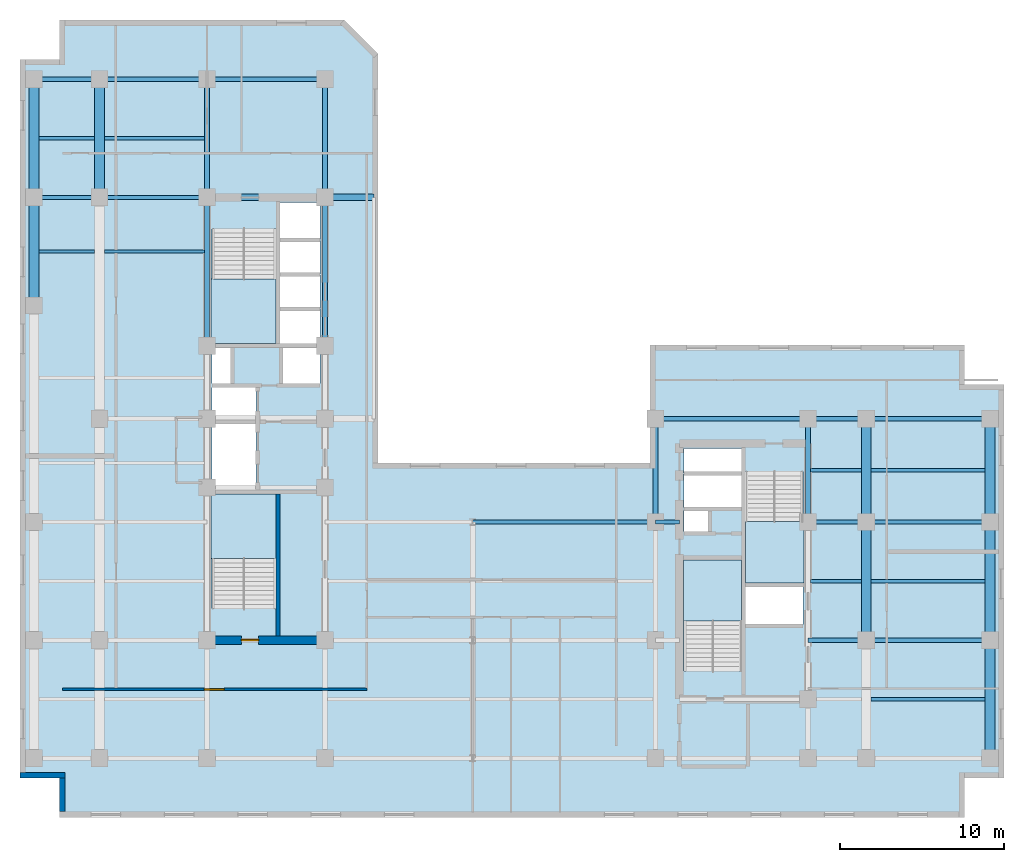
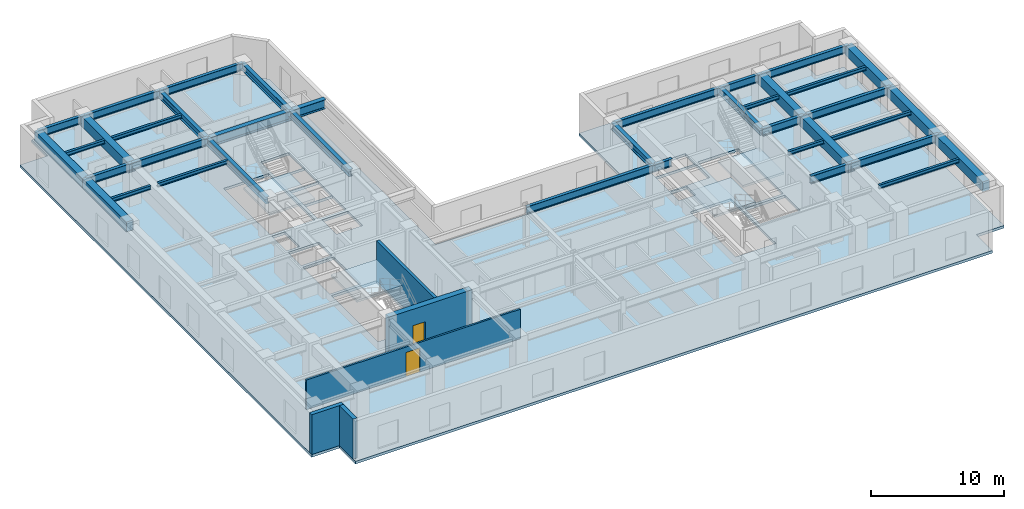
# One storey, part 2 of 9: 38 beams, 5 slabs, 5 walls, 2 doors, 2 openings, 4 elements without a shape of their own.
"""IFC4 building model written with IfcOpenShell, lengths in metres."""

from ifc_helpers import new_model, entity, si_unit, converted_unit, direction, frame, origin_with_axes, origin_2d_with_axis, place, context, subcontext, project, spatial, polyline, rectangle, i_section, outline, extrude, material, layer, layer_set, material_profile, profile_set, type_object, element, fill, aggregate, save


model = new_model("IFC4")

# Units and contexts
model_context = context("Model", 3, precision=1e-05, world=origin_with_axes(), true_north=direction((0.0, 1.0)))
body_context = subcontext(model_context, "Body", "Model", "MODEL_VIEW")
ifc_project = project(units=[si_unit("LENGTHUNIT", "METRE"), si_unit("AREAUNIT", "SQUARE_METRE"), si_unit("VOLUMEUNIT", "CUBIC_METRE"), converted_unit("PLANEANGLEUNIT", "DEGREE", entity("IfcPlaneAngleMeasure", 0.017453292519943295), si_unit("PLANEANGLEUNIT", "RADIAN"), dimensions=[0, 0, 0, 0, 0, 0, 0]), si_unit("MASSUNIT", "GRAM", prefix="KILO"), si_unit("THERMODYNAMICTEMPERATUREUNIT", "KELVIN")], contexts=[model_context])

# Site, building, storey
site_placement = place(None, origin_with_axes())
site = spatial("IfcSite", under=ifc_project, at=site_placement, CompositionType="ELEMENT")
building_placement = place(site_placement, origin_with_axes())
building = spatial("IfcBuilding", under=site, at=building_placement, Name="Varnlund Millrace Tower", CompositionType="ELEMENT")
storey_placement = place(building_placement, frame((0.0, 0.0, 136.8), z_axis=(0.0, 0.0, 1.0), x_axis=(1.0, 0.0, 0.0)))
storey = spatial("IfcBuildingStorey", under=building, at=storey_placement, Name="L33", CompositionType="ELEMENT", Elevation=136.8)

# Beams
ifc_material_1 = material(Name="Steel ASTM A992 Grade 50", Category="steel")
ifc_material_profile_1 = material_profile(ifc_material_1, i_section(OverallWidth=0.328, OverallDepth=0.628, WebThickness=0.0165, FlangeThickness=0.0277, FilletRadius=0.018, at=origin_2d_with_axis()), Name="Steel ASTM A992 Grade 50")
ifc_profile_set_1 = profile_set([ifc_material_profile_1], Name="Steel ASTM A992 Grade 50")
beam_type_1 = type_object("IfcBeamType", Name="Type-Girder-W24X146", PredefinedType="USERDEFINED", material=ifc_profile_set_1)
beam_1_placement = place(storey_placement, frame((11.4, 28.75, 3.346), z_axis=(0.0, 1.0, 0.0), x_axis=(-1.0, 0.0, 0.0)))
element("IfcBeam", 1, at=beam_1_placement, inside=storey, type_object=beam_type_1, Name="Type-Girder-W24X146", ObjectType="GIRDER", PredefinedType="USERDEFINED", context=body_context, shape_type="SweptSolid", body=[
    extrude(i_section(OverallWidth=0.328, OverallDepth=0.628, WebThickness=0.0165, FlangeThickness=0.0277, FilletRadius=0.018, at=origin_2d_with_axis()), origin_with_axes(), (0.0, 0.0, 1.0), 9.05),
])
beam_2_placement = place(storey_placement, frame((11.4, 37.8, 3.346), z_axis=(0.0, 1.0, 0.0), x_axis=(-1.0, 0.0, 0.0)))
element("IfcBeam", 2, at=beam_2_placement, inside=storey, type_object=beam_type_1, Name="Type-Girder-W24X146", ObjectType="GIRDER", PredefinedType="USERDEFINED", context=body_context, shape_type="SweptSolid", body=[
    extrude(i_section(OverallWidth=0.328, OverallDepth=0.628, WebThickness=0.0165, FlangeThickness=0.0277, FilletRadius=0.018, at=origin_2d_with_axis()), origin_with_axes(), (0.0, 0.0, 1.0), 7.2),
])
beam_3_placement = place(storey_placement, frame((18.6, 28.75, 3.346), z_axis=(0.0, 1.0, 0.0), x_axis=(-1.0, 0.0, 0.0)))
element("IfcBeam", 3, at=beam_3_placement, inside=storey, type_object=beam_type_1, Name="Type-Girder-W24X146", ObjectType="GIRDER", PredefinedType="USERDEFINED", context=body_context, shape_type="SweptSolid", body=[
    extrude(i_section(OverallWidth=0.328, OverallDepth=0.628, WebThickness=0.0165, FlangeThickness=0.0277, FilletRadius=0.018, at=origin_2d_with_axis()), origin_with_axes(), (0.0, 0.0, 1.0), 9.05),
])
beam_4_placement = place(storey_placement, frame((18.6, 37.8, 3.346), z_axis=(0.0, 1.0, 0.0), x_axis=(-1.0, 0.0, 0.0)))
element("IfcBeam", 4, at=beam_4_placement, inside=storey, type_object=beam_type_1, Name="Type-Girder-W24X146", ObjectType="GIRDER", PredefinedType="USERDEFINED", context=body_context, shape_type="SweptSolid", body=[
    extrude(i_section(OverallWidth=0.328, OverallDepth=0.628, WebThickness=0.0165, FlangeThickness=0.0277, FilletRadius=0.018, at=origin_2d_with_axis()), origin_with_axes(), (0.0, 0.0, 1.0), 7.2),
])
for number, where, z_axis, x_axis, name in (
    (5, (38.75, 18.0, 3.346), (0.0, 1.0, 0.0), (-1.0, 0.0, 0.0), "Type-Girder-W24X146"),
    (6, (48.05, 18.0, 3.346), (0.0, 1.0, 0.0), (-1.0, 0.0, 0.0), "Type-Girder-W24X146"),
):
    element("IfcBeam", number, at=place(storey_placement, frame(where, z_axis=z_axis, x_axis=x_axis)), inside=storey, type_object=beam_type_1, Name=name, ObjectType="GIRDER", PredefinedType="USERDEFINED", context=body_context, shape_type="SweptSolid", body=[
        extrude(i_section(OverallWidth=0.328, OverallDepth=0.628, WebThickness=0.0165, FlangeThickness=0.0277, FilletRadius=0.018, at=origin_2d_with_axis()), origin_with_axes(), (0.0, 0.0, 1.0), 6.3),
    ])
ifc_material_profile_2 = material_profile(ifc_material_1, i_section(OverallWidth=0.256, OverallDepth=0.693, WebThickness=0.0145, FlangeThickness=0.0236, FilletRadius=0.018, at=origin_2d_with_axis()), Name="Steel ASTM A992 Grade 50")
ifc_profile_set_2 = profile_set([ifc_material_profile_2], Name="Steel ASTM A992 Grade 50")
beam_type_2 = type_object("IfcBeamType", Name="Type-Girder-W27X114", PredefinedType="USERDEFINED", material=ifc_profile_set_2)
beam_5_placement = place(storey_placement, frame((48.05, 10.8, 3.3135), z_axis=(1.0, 0.0, 0.0), x_axis=(0.0, 1.0, 0.0)))
element("IfcBeam", 7, at=beam_5_placement, inside=storey, type_object=beam_type_2, Name="Type-Girder-W27X114", ObjectType="GIRDER", PredefinedType="USERDEFINED", context=body_context, shape_type="SweptSolid", body=[
    extrude(i_section(OverallWidth=0.256, OverallDepth=0.693, WebThickness=0.0145, FlangeThickness=0.0236, FilletRadius=0.018, at=origin_2d_with_axis()), origin_with_axes(), (0.0, 0.0, 1.0), 3.55),
])
beam_6_placement = place(storey_placement, frame((51.6, 10.8, 3.3135), z_axis=(1.0, 0.0, 0.0), x_axis=(0.0, 1.0, 0.0)))
element("IfcBeam", 8, at=beam_6_placement, inside=storey, type_object=beam_type_2, Name="Type-Girder-W27X114", ObjectType="GIRDER", PredefinedType="USERDEFINED", context=body_context, shape_type="SweptSolid", body=[
    extrude(i_section(OverallWidth=0.256, OverallDepth=0.693, WebThickness=0.0145, FlangeThickness=0.0236, FilletRadius=0.018, at=origin_2d_with_axis()), origin_with_axes(), (0.0, 0.0, 1.0), 7.55),
])
beam_7_placement = place(storey_placement, frame((27.6, 18.0, 3.3135), z_axis=(1.0, 0.0, 0.0), x_axis=(0.0, 1.0, 0.0)))
element("IfcBeam", 9, at=beam_7_placement, inside=storey, type_object=beam_type_2, Name="Type-Girder-W27X114", ObjectType="GIRDER", PredefinedType="USERDEFINED", context=body_context, shape_type="SweptSolid", body=[
    extrude(i_section(OverallWidth=0.256, OverallDepth=0.693, WebThickness=0.0145, FlangeThickness=0.0236, FilletRadius=0.018, at=origin_2d_with_axis()), origin_with_axes(), (0.0, 0.0, 1.0), 11.15),
])
beam_8_placement = place(storey_placement, frame((38.75, 18.0, 3.3135), z_axis=(1.0, 0.0, 0.0), x_axis=(0.0, 1.0, 0.0)))
element("IfcBeam", 10, at=beam_8_placement, inside=storey, type_object=beam_type_2, Name="Type-Girder-W27X114", ObjectType="GIRDER", PredefinedType="USERDEFINED", context=body_context, shape_type="SweptSolid", body=[
    extrude(i_section(OverallWidth=0.256, OverallDepth=0.693, WebThickness=0.0145, FlangeThickness=0.0236, FilletRadius=0.018, at=origin_2d_with_axis()), origin_with_axes(), (0.0, 0.0, 1.0), 1.45),
])
beam_9_placement = place(storey_placement, frame((48.05, 18.0, 3.3135), z_axis=(1.0, 0.0, 0.0), x_axis=(0.0, 1.0, 0.0)))
element("IfcBeam", 11, at=beam_9_placement, inside=storey, type_object=beam_type_2, Name="Type-Girder-W27X114", ObjectType="GIRDER", PredefinedType="USERDEFINED", context=body_context, shape_type="SweptSolid", body=[
    extrude(i_section(OverallWidth=0.256, OverallDepth=0.693, WebThickness=0.0145, FlangeThickness=0.0236, FilletRadius=0.018, at=origin_2d_with_axis()), origin_with_axes(), (0.0, 0.0, 1.0), 3.55),
])
beam_10_placement = place(storey_placement, frame((51.6, 18.0, 3.3135), z_axis=(1.0, 0.0, 0.0), x_axis=(0.0, 1.0, 0.0)))
element("IfcBeam", 12, at=beam_10_placement, inside=storey, type_object=beam_type_2, Name="Type-Girder-W27X114", ObjectType="GIRDER", PredefinedType="USERDEFINED", context=body_context, shape_type="SweptSolid", body=[
    extrude(i_section(OverallWidth=0.256, OverallDepth=0.693, WebThickness=0.0145, FlangeThickness=0.0236, FilletRadius=0.018, at=origin_2d_with_axis()), origin_with_axes(), (0.0, 0.0, 1.0), 7.55),
])
beam_11_placement = place(storey_placement, frame((38.75, 24.3, 3.3135), z_axis=(1.0, 0.0, 0.0), x_axis=(0.0, 1.0, 0.0)))
element("IfcBeam", 13, at=beam_11_placement, inside=storey, type_object=beam_type_2, Name="Type-Girder-W27X114", ObjectType="GIRDER", PredefinedType="USERDEFINED", context=body_context, shape_type="SweptSolid", body=[
    extrude(i_section(OverallWidth=0.256, OverallDepth=0.693, WebThickness=0.0145, FlangeThickness=0.0236, FilletRadius=0.018, at=origin_2d_with_axis()), origin_with_axes(), (0.0, 0.0, 1.0), 9.3),
])
beam_12_placement = place(storey_placement, frame((48.05, 24.3, 3.3135), z_axis=(1.0, 0.0, 0.0), x_axis=(0.0, 1.0, 0.0)))
element("IfcBeam", 14, at=beam_12_placement, inside=storey, type_object=beam_type_2, Name="Type-Girder-W27X114", ObjectType="GIRDER", PredefinedType="USERDEFINED", context=body_context, shape_type="SweptSolid", body=[
    extrude(i_section(OverallWidth=0.256, OverallDepth=0.693, WebThickness=0.0145, FlangeThickness=0.0236, FilletRadius=0.018, at=origin_2d_with_axis()), origin_with_axes(), (0.0, 0.0, 1.0), 3.55),
])
beam_13_placement = place(storey_placement, frame((51.6, 24.3, 3.3135), z_axis=(1.0, 0.0, 0.0), x_axis=(0.0, 1.0, 0.0)))
element("IfcBeam", 15, at=beam_13_placement, inside=storey, type_object=beam_type_2, Name="Type-Girder-W27X114", ObjectType="GIRDER", PredefinedType="USERDEFINED", context=body_context, shape_type="SweptSolid", body=[
    extrude(i_section(OverallWidth=0.256, OverallDepth=0.693, WebThickness=0.0145, FlangeThickness=0.0236, FilletRadius=0.018, at=origin_2d_with_axis()), origin_with_axes(), (0.0, 0.0, 1.0), 7.55),
])
beam_14_placement = place(storey_placement, frame((0.85, 37.8, 3.3135), z_axis=(1.0, 0.0, 0.0), x_axis=(0.0, 1.0, 0.0)))
element("IfcBeam", 16, at=beam_14_placement, inside=storey, type_object=beam_type_2, Name="Type-Girder-W27X114", ObjectType="GIRDER", PredefinedType="USERDEFINED", context=body_context, shape_type="SweptSolid", body=[
    extrude(i_section(OverallWidth=0.256, OverallDepth=0.693, WebThickness=0.0145, FlangeThickness=0.0236, FilletRadius=0.018, at=origin_2d_with_axis()), origin_with_axes(), (0.0, 0.0, 1.0), 4.0),
])
beam_15_placement = place(storey_placement, frame((4.85, 37.8, 3.3135), z_axis=(1.0, 0.0, 0.0), x_axis=(0.0, 1.0, 0.0)))
element("IfcBeam", 17, at=beam_15_placement, inside=storey, type_object=beam_type_2, Name="Type-Girder-W27X114", ObjectType="GIRDER", PredefinedType="USERDEFINED", context=body_context, shape_type="SweptSolid", body=[
    extrude(i_section(OverallWidth=0.256, OverallDepth=0.693, WebThickness=0.0145, FlangeThickness=0.0236, FilletRadius=0.018, at=origin_2d_with_axis()), origin_with_axes(), (0.0, 0.0, 1.0), 6.55),
])
beam_16_placement = place(storey_placement, frame((0.85, 45.0, 3.3135), z_axis=(1.0, 0.0, 0.0), x_axis=(0.0, 1.0, 0.0)))
element("IfcBeam", 18, at=beam_16_placement, inside=storey, type_object=beam_type_2, Name="Type-Girder-W27X114", ObjectType="GIRDER", PredefinedType="USERDEFINED", context=body_context, shape_type="SweptSolid", body=[
    extrude(i_section(OverallWidth=0.256, OverallDepth=0.693, WebThickness=0.0145, FlangeThickness=0.0236, FilletRadius=0.018, at=origin_2d_with_axis()), origin_with_axes(), (0.0, 0.0, 1.0), 4.0),
])
beam_17_placement = place(storey_placement, frame((4.85, 45.0, 3.3135), z_axis=(1.0, 0.0, 0.0), x_axis=(0.0, 1.0, 0.0)))
element("IfcBeam", 19, at=beam_17_placement, inside=storey, type_object=beam_type_2, Name="Type-Girder-W27X114", ObjectType="GIRDER", PredefinedType="USERDEFINED", context=body_context, shape_type="SweptSolid", body=[
    extrude(i_section(OverallWidth=0.256, OverallDepth=0.693, WebThickness=0.0145, FlangeThickness=0.0236, FilletRadius=0.018, at=origin_2d_with_axis()), origin_with_axes(), (0.0, 0.0, 1.0), 6.55),
])
beam_18_placement = place(storey_placement, frame((11.4, 45.0, 3.3135), z_axis=(1.0, 0.0, 0.0), x_axis=(0.0, 1.0, 0.0)))
element("IfcBeam", 20, at=beam_18_placement, inside=storey, type_object=beam_type_2, Name="Type-Girder-W27X114", ObjectType="GIRDER", PredefinedType="USERDEFINED", context=body_context, shape_type="SweptSolid", body=[
    extrude(i_section(OverallWidth=0.256, OverallDepth=0.693, WebThickness=0.0145, FlangeThickness=0.0236, FilletRadius=0.018, at=origin_2d_with_axis()), origin_with_axes(), (0.0, 0.0, 1.0), 7.2),
])
ifc_material_profile_3 = material_profile(ifc_material_1, i_section(OverallWidth=0.399, OverallDepth=0.855, WebThickness=0.0182, FlangeThickness=0.0292, FilletRadius=0.022, at=origin_2d_with_axis()), Name="Steel ASTM A992 Grade 50")
ifc_profile_set_3 = profile_set([ifc_material_profile_3], Name="Steel ASTM A992 Grade 50")
beam_type_3 = type_object("IfcBeamType", Name="Type-Girder-W33X201", PredefinedType="USERDEFINED", material=ifc_profile_set_3)
beam_19_placement = place(storey_placement, frame((11.4, 37.8, 3.2325), z_axis=(1.0, 0.0, 0.0), x_axis=(0.0, 1.0, 0.0)))
element("IfcBeam", 21, at=beam_19_placement, inside=storey, type_object=beam_type_3, Name="Type-Girder-W33X201", ObjectType="GIRDER", PredefinedType="USERDEFINED", context=body_context, shape_type="SweptSolid", body=[
    extrude(i_section(OverallWidth=0.399, OverallDepth=0.855, WebThickness=0.0182, FlangeThickness=0.0292, FilletRadius=0.022, at=origin_2d_with_axis()), origin_with_axes(), (0.0, 0.0, 1.0), 10.175),
])
ifc_material_profile_4 = material_profile(ifc_material_1, i_section(OverallWidth=0.204, OverallDepth=0.35, WebThickness=0.0086, FlangeThickness=0.0151, FilletRadius=0.013, at=origin_2d_with_axis()), Name="Steel ASTM A992 Grade 50")
ifc_profile_set_4 = profile_set([ifc_material_profile_4], Name="Steel ASTM A992 Grade 50")
beam_type_4 = type_object("IfcBeamType", Name="Type-Joist-W14X48", PredefinedType="JOIST", material=ifc_profile_set_4)
for number, where, z_axis, x_axis, name in (
    (22, (1.15, 34.5, 3.485), (1.0, 0.0, 0.0), (0.0, 1.0, 0.0), "Type-Joist-W14X48"),
    (23, (1.15, 41.4, 3.485), (1.0, 0.0, 0.0), (0.0, 1.0, 0.0), "Type-Joist-W14X48"),
):
    element("IfcBeam", number, at=place(storey_placement, frame(where, z_axis=z_axis, x_axis=x_axis)), inside=storey, type_object=beam_type_4, Name=name, PredefinedType="JOIST", context=body_context, shape_type="SweptSolid", body=[
        extrude(i_section(OverallWidth=0.204, OverallDepth=0.35, WebThickness=0.0086, FlangeThickness=0.0151, FilletRadius=0.013, at=origin_2d_with_axis()), origin_with_axes(), (0.0, 0.0, 1.0), 3.4),
    ])
for number, where, z_axis, x_axis, name in (
    (24, (5.15, 34.5, 3.485), (1.0, 0.0, 0.0), (0.0, 1.0, 0.0), "Type-Joist-W14X48"),
    (25, (5.15, 41.4, 3.485), (1.0, 0.0, 0.0), (0.0, 1.0, 0.0), "Type-Joist-W14X48"),
):
    element("IfcBeam", number, at=place(storey_placement, frame(where, z_axis=z_axis, x_axis=x_axis)), inside=storey, type_object=beam_type_4, Name=name, PredefinedType="JOIST", context=body_context, shape_type="SweptSolid", body=[
        extrude(i_section(OverallWidth=0.204, OverallDepth=0.35, WebThickness=0.0086, FlangeThickness=0.0151, FilletRadius=0.013, at=origin_2d_with_axis()), origin_with_axes(), (0.0, 0.0, 1.0), 6.086),
    ])
for number, where, z_axis, x_axis, name in (
    (26, (48.214, 14.4, 3.485), (1.0, 0.0, 0.0), (0.0, 1.0, 0.0), "Type-Joist-W14X48"),
    (27, (48.214, 21.15, 3.485), (1.0, 0.0, 0.0), (0.0, 1.0, 0.0), "Type-Joist-W14X48"),
):
    element("IfcBeam", number, at=place(storey_placement, frame(where, z_axis=z_axis, x_axis=x_axis)), inside=storey, type_object=beam_type_4, Name=name, PredefinedType="JOIST", context=body_context, shape_type="SweptSolid", body=[
        extrude(i_section(OverallWidth=0.204, OverallDepth=0.35, WebThickness=0.0086, FlangeThickness=0.0151, FilletRadius=0.013, at=origin_2d_with_axis()), origin_with_axes(), (0.0, 0.0, 1.0), 3.086),
    ])
for number, where, z_axis, x_axis, name in (
    (28, (51.9, 7.2, 3.485), (1.0, 0.0, 0.0), (0.0, 1.0, 0.0), "Type-Joist-W14X48"),
    (29, (51.9, 14.4, 3.485), (1.0, 0.0, 0.0), (0.0, 1.0, 0.0), "Type-Joist-W14X48"),
    (30, (51.9, 21.15, 3.485), (1.0, 0.0, 0.0), (0.0, 1.0, 0.0), "Type-Joist-W14X48"),
):
    element("IfcBeam", number, at=place(storey_placement, frame(where, z_axis=z_axis, x_axis=x_axis)), inside=storey, type_object=beam_type_4, Name=name, PredefinedType="JOIST", context=body_context, shape_type="SweptSolid", body=[
        extrude(i_section(OverallWidth=0.204, OverallDepth=0.35, WebThickness=0.0086, FlangeThickness=0.0151, FilletRadius=0.013, at=origin_2d_with_axis()), origin_with_axes(), (0.0, 0.0, 1.0), 6.95),
    ])
ifc_material_2 = material(Name="Concrete C70/85", Category="concrete")
ifc_material_profile_5 = material_profile(ifc_material_2, rectangle(XDim=0.6, YDim=0.9, at=origin_2d_with_axis()), Name="Concrete C70/85")
ifc_profile_set_5 = profile_set([ifc_material_profile_5], Name="Concrete C70/85")
beam_type_5 = type_object("IfcBeamType", Name="Type-Spandrel-RC600X900", PredefinedType="SPANDREL", material=ifc_profile_set_5)
beam_20_placement = place(storey_placement, frame((0.85, 31.2, 3.21), z_axis=(0.0, 1.0, 0.0), x_axis=(-1.0, 0.0, 0.0)))
element("IfcBeam", 31, at=beam_20_placement, inside=storey, type_object=beam_type_5, Name="Type-Spandrel-RC600X900", PredefinedType="SPANDREL", context=body_context, shape_type="SweptSolid", body=[
    extrude(rectangle(XDim=0.6, YDim=0.9, at=origin_2d_with_axis()), origin_with_axes(), (0.0, 0.0, 1.0), 6.6),
])
for number, where, z_axis, x_axis, name in (
    (32, (0.85, 37.8, 3.21), (0.0, 1.0, 0.0), (-1.0, 0.0, 0.0), "Type-Spandrel-RC600X900"),
    (33, (4.85, 37.8, 3.21), (0.0, 1.0, 0.0), (-1.0, 0.0, 0.0), "Type-Spandrel-RC600X900"),
    (34, (51.6, 10.8, 3.21), (0.0, 1.0, 0.0), (-1.0, 0.0, 0.0), "Type-Spandrel-RC600X900"),
):
    element("IfcBeam", number, at=place(storey_placement, frame(where, z_axis=z_axis, x_axis=x_axis)), inside=storey, type_object=beam_type_5, Name=name, PredefinedType="SPANDREL", context=body_context, shape_type="SweptSolid", body=[
        extrude(rectangle(XDim=0.6, YDim=0.9, at=origin_2d_with_axis()), origin_with_axes(), (0.0, 0.0, 1.0), 7.2),
    ])
beam_21_placement = place(storey_placement, frame((51.6, 18.0, 3.21), z_axis=(0.0, 1.0, 0.0), x_axis=(-1.0, 0.0, 0.0)))
element("IfcBeam", 35, at=beam_21_placement, inside=storey, type_object=beam_type_5, Name="Type-Spandrel-RC600X900", PredefinedType="SPANDREL", context=body_context, shape_type="SweptSolid", body=[
    extrude(rectangle(XDim=0.6, YDim=0.9, at=origin_2d_with_axis()), origin_with_axes(), (0.0, 0.0, 1.0), 6.3),
])
for number, where, z_axis, x_axis, name in (
    (36, (59.15, 3.6, 3.21), (0.0, 1.0, 0.0), (-1.0, 0.0, 0.0), "Type-Spandrel-RC600X900"),
    (37, (59.15, 10.8, 3.21), (0.0, 1.0, 0.0), (-1.0, 0.0, 0.0), "Type-Spandrel-RC600X900"),
):
    element("IfcBeam", number, at=place(storey_placement, frame(where, z_axis=z_axis, x_axis=x_axis)), inside=storey, type_object=beam_type_5, Name=name, PredefinedType="SPANDREL", context=body_context, shape_type="SweptSolid", body=[
        extrude(rectangle(XDim=0.6, YDim=0.9, at=origin_2d_with_axis()), origin_with_axes(), (0.0, 0.0, 1.0), 7.2),
    ])
beam_22_placement = place(storey_placement, frame((59.15, 18.0, 3.21), z_axis=(0.0, 1.0, 0.0), x_axis=(-1.0, 0.0, 0.0)))
element("IfcBeam", 38, at=beam_22_placement, inside=storey, type_object=beam_type_5, Name="Type-Spandrel-RC600X900", PredefinedType="SPANDREL", context=body_context, shape_type="SweptSolid", body=[
    extrude(rectangle(XDim=0.6, YDim=0.9, at=origin_2d_with_axis()), origin_with_axes(), (0.0, 0.0, 1.0), 6.3),
])

# Slab
ifc_material_3 = material(Name="Concrete C60/75", Category="concrete")
ifc_layer_1 = layer(ifc_material_3, 0.24, Name="Concrete C60/75")
ifc_layer_set_1 = layer_set([ifc_layer_1], Name="Concrete C60/75")
slab_type_1 = type_object("IfcSlabType", Name="Type-Deck-Plate-Typical-240", PredefinedType="FLOOR", material=ifc_layer_set_1)
slab_1_placement = place(storey_placement, frame((0.0, 0.0, -0.24), z_axis=(0.0, 0.0, 1.0), x_axis=(1.0, 0.0, 0.0)))
element("IfcSlab", 39, at=slab_1_placement, inside=storey, type_object=slab_type_1, Name="Type-Deck-Plate-Typical-240", PredefinedType="FLOOR", context=body_context, shape_type="SweptSolid", body=[
    extrude(outline(polyline([(21.825, 21.6), (21.825, 46.56), (19.785, 48.6), (2.4, 48.6), (2.4, 46.2), (0.0, 46.2), (0.0, 2.4), (2.4, 2.4), (2.4, 0.0), (57.6, 0.0), (57.6, 2.4), (60.0, 2.4), (60.0, 26.4), (57.6, 26.4), (57.6, 28.8), (38.4, 28.8), (38.4, 21.6), (21.825, 21.6)]), holes=[polyline([(15.6, 12.715), (11.7, 12.715), (11.7, 19.7), (15.6, 19.7), (15.6, 12.715)]), polyline([(14.38, 23.98), (14.38, 19.94), (11.7, 19.94), (11.7, 23.98), (14.38, 23.98)]), polyline([(14.38, 24.24), (11.7, 24.24), (11.7, 26.2), (14.38, 26.2), (14.38, 24.24)]), polyline([(12.84, 26.46), (11.7, 26.46), (11.7, 28.65), (12.84, 28.65), (12.84, 26.46)]), polyline([(18.3, 28.9), (15.84, 28.9), (15.84, 30.98), (18.3, 30.98), (18.3, 28.9)]), polyline([(18.3, 31.02), (15.84, 31.02), (15.84, 33.08), (18.3, 33.08), (18.3, 31.02)]), polyline([(15.6, 28.9), (11.7, 28.9), (11.7, 35.885), (15.6, 35.885), (15.6, 28.9)]), polyline([(18.3, 33.12), (15.84, 33.12), (15.84, 35.18), (18.3, 35.18), (18.3, 33.12)]), polyline([(44.0, 8.915), (40.5, 8.915), (40.5, 15.7), (44.0, 15.7), (44.0, 8.915)]), polyline([(47.75, 11.74), (44.25, 11.74), (44.25, 14.06), (47.75, 14.06), (47.75, 11.74)]), polyline([(47.75, 14.3), (44.25, 14.3), (44.25, 21.085), (47.75, 21.085), (47.75, 14.3)]), polyline([(41.95, 17.42), (40.5, 17.42), (40.5, 18.72), (41.95, 18.72), (41.95, 17.42)]), polyline([(44.0, 18.88), (40.5, 18.88), (40.5, 20.94), (44.0, 20.94), (44.0, 18.88)]), polyline([(44.0, 21.0), (40.5, 21.0), (40.5, 22.5), (44.0, 22.5), (44.0, 21.0)]), polyline([(16.04, 26.46), (16.04, 28.65), (18.3, 28.65), (18.3, 26.46), (16.04, 26.46)]), polyline([(15.84, 35.22), (15.84, 37.5), (18.3, 37.5), (18.3, 35.22), (15.84, 35.22)])]), origin_with_axes(), (0.0, 0.0, 1.0), 0.24),
])

# Stair, slab
ifc_material_4 = material(Name="Concrete C50/60", Category="concrete")
stair_type_1 = type_object("IfcStairType", Name="Type-Stair-Dogleg-185-390", PredefinedType="HALF_TURN_STAIR", material=ifc_material_4)
stair_1_placement = place(storey_placement, origin_with_axes())
stair_1 = element("IfcStair", 40, at=stair_1_placement, inside=storey, type_object=stair_type_1, Name="Type-Stair-Dogleg-185-390", PredefinedType="HALF_TURN_STAIR")
ifc_layer_2 = layer(ifc_material_4, 0.2, Name="Concrete C50/60")
ifc_layer_set_2 = layer_set([ifc_layer_2], Name="Concrete C50/60")
slab_type_2 = type_object("IfcSlabType", Name="Type-StairLanding-200", PredefinedType="LANDING", material=ifc_layer_set_2)
slab_2_placement = place(storey_placement, frame((0.0, 0.0, 1.75), z_axis=(0.0, 0.0, 1.0), x_axis=(1.0, 0.0, 0.0)))
slab_2 = element("IfcSlab", 41, at=slab_2_placement, type_object=slab_type_2, Name="ST-A1 landing 1", PredefinedType="LANDING", context=body_context, shape_type="SweptSolid", body=[
    extrude(outline(polyline([(15.6, 15.78), (15.6, 19.7), (11.65, 19.7), (11.65, 15.78), (15.6, 15.78)])), origin_with_axes(), (0.0, 0.0, 1.0), 0.2),
])
aggregate(stair_1, [slab_2])

stair_2_placement = place(storey_placement, origin_with_axes())
stair_2 = element("IfcStair", 42, at=stair_2_placement, inside=storey, type_object=stair_type_1, Name="Type-Stair-Dogleg-185-390", PredefinedType="HALF_TURN_STAIR")
slab_3_placement = place(storey_placement, frame((0.0, 0.0, 1.75), z_axis=(0.0, 0.0, 1.0), x_axis=(1.0, 0.0, 0.0)))
slab_3 = element("IfcSlab", 43, at=slab_3_placement, type_object=slab_type_2, Name="ST-A2 landing 1", PredefinedType="LANDING", context=body_context, shape_type="SweptSolid", body=[
    extrude(outline(polyline([(11.65, 32.82), (11.65, 28.9), (15.6, 28.9), (15.6, 32.82), (11.65, 32.82)])), origin_with_axes(), (0.0, 0.0, 1.0), 0.2),
])
aggregate(stair_2, [slab_3])

stair_type_2 = type_object("IfcStairType", Name="Type-Stair-Dogleg-165-390", PredefinedType="HALF_TURN_STAIR", material=ifc_material_4)
stair_3_placement = place(storey_placement, origin_with_axes())
stair_3 = element("IfcStair", 44, at=stair_3_placement, inside=storey, type_object=stair_type_2, Name="Type-Stair-Dogleg-165-390", PredefinedType="HALF_TURN_STAIR")
slab_4_placement = place(storey_placement, frame((0.0, 0.0, 1.75), z_axis=(0.0, 0.0, 1.0), x_axis=(1.0, 0.0, 0.0)))
slab_4 = element("IfcSlab", 45, at=slab_4_placement, type_object=slab_type_2, Name="ST-B1 landing 1", PredefinedType="LANDING", context=body_context, shape_type="SweptSolid", body=[
    extrude(outline(polyline([(44.0, 11.98), (44.0, 15.7), (40.45, 15.7), (40.45, 11.98), (44.0, 11.98)])), origin_with_axes(), (0.0, 0.0, 1.0), 0.2),
])
aggregate(stair_3, [slab_4])

stair_4_placement = place(storey_placement, origin_with_axes())
stair_4 = element("IfcStair", 46, at=stair_4_placement, inside=storey, type_object=stair_type_2, Name="Type-Stair-Dogleg-165-390", PredefinedType="HALF_TURN_STAIR")
slab_5_placement = place(storey_placement, frame((0.0, 0.0, 1.75), z_axis=(0.0, 0.0, 1.0), x_axis=(1.0, 0.0, 0.0)))
slab_5 = element("IfcSlab", 47, at=slab_5_placement, type_object=slab_type_2, Name="ST-B2 landing 1", PredefinedType="LANDING", context=body_context, shape_type="SweptSolid", body=[
    extrude(outline(polyline([(44.25, 18.02), (44.25, 14.3), (47.8, 14.3), (47.8, 18.02), (44.25, 18.02)])), origin_with_axes(), (0.0, 0.0, 1.0), 0.2),
])
aggregate(stair_4, [slab_5])

# Wall, opening, door
ifc_layer_3 = layer(ifc_material_2, 0.5, Name="Concrete C70/85")
ifc_layer_set_3 = layer_set([ifc_layer_3], Name="Concrete C70/85")
wall_type_1 = type_object("IfcWallType", Name="Type-CoreWall-Shear-500-C70", PredefinedType="SHEAR", material=ifc_layer_set_3)
wall_1_placement = place(storey_placement, frame((11.4, 10.8, 0.0), z_axis=(0.0, 0.0, 1.0), x_axis=(1.0, 0.0, 0.0)))
wall_1 = element("IfcWall", 48, at=wall_1_placement, inside=storey, type_object=wall_type_1, Name="Type-CoreWall-Shear-500-C70", PredefinedType="SHEAR", context=body_context, shape_type="SweptSolid", body=[
    extrude(outline(polyline([(0.0, -0.25), (7.2, -0.25), (7.2, 0.25), (0.0, 0.25), (0.0, -0.25)])), origin_with_axes(), (0.0, 0.0, 1.0), 3.66),
])
opening_1_placement = place(wall_1_placement, frame((2.625, 0.0, 0.0), z_axis=(0.0, 0.0, 1.0), x_axis=(1.0, 0.0, 0.0)))
opening_1 = element("IfcOpeningElement", 49, at=opening_1_placement, cuts=wall_1, Name="Opening L33:DR-STA1", PredefinedType="OPENING", context=body_context, shape_type="SweptSolid", body=[
    extrude(rectangle(XDim=1.05, YDim=0.52, at=origin_2d_with_axis()), origin_with_axes(), (0.0, 0.0, 1.0), 2.15),
])
ifc_material_5 = material(Name="Fire-rated hollow steel door", Category="steel")
door_type_1 = type_object("IfcDoorType", Name="Type-FireDoor-Stair-1050X2150", OperationType="NOTDEFINED", PredefinedType="DOOR", material=ifc_material_5)
door_1_placement = place(wall_1_placement, frame((2.625, 0.0, 0.0), z_axis=(0.0, 0.0, 1.0), x_axis=(1.0, 0.0, 0.0)))
door_1 = element("IfcDoor", 50, at=door_1_placement, inside=storey, type_object=door_type_1, Name="Type-FireDoor-Stair-1050X2150", OperationType="SINGLE_SWING_LEFT", OverallHeight=2.15, OverallWidth=1.05, PredefinedType="DOOR", context=body_context, shape_type="SweptSolid", body=[
    extrude(rectangle(XDim=1.05, YDim=0.09, at=origin_2d_with_axis()), origin_with_axes(), (0.0, 0.0, 1.0), 2.15),
])
fill(opening_1, door_1)

# Walls
ifc_material_6 = material(Name="Precast concrete C50/60", Category="concrete")
ifc_layer_4 = layer(ifc_material_6, 0.34, Name="Precast concrete C50/60")
ifc_layer_set_4 = layer_set([ifc_layer_4], Name="Precast concrete C50/60")
wall_type_2 = type_object("IfcWallType", Name="Type-ExtWall-Precast-Upper-340", PredefinedType="SOLIDWALL", material=ifc_layer_set_4)
wall_2_placement = place(storey_placement, frame((2.57, 0.34, 0.0), z_axis=(0.0, 0.0, 1.0), x_axis=(0.0, 1.0, 0.0)))
element("IfcWall", 51, at=wall_2_placement, inside=storey, type_object=wall_type_2, Name="Type-ExtWall-Precast-Upper-340", PredefinedType="SOLIDWALL", context=body_context, shape_type="SweptSolid", body=[
    extrude(outline(polyline([(0.0, -0.17), (2.06, -0.17), (2.06, 0.17), (0.0, 0.17), (0.0, -0.17)])), origin_with_axes(), (0.0, 0.0, 1.0), 3.66),
])
wall_3_placement = place(storey_placement, frame((2.74, 2.57, 0.0), z_axis=(0.0, 0.0, 1.0), x_axis=(-1.0, 0.0, 0.0)))
element("IfcWall", 52, at=wall_3_placement, inside=storey, type_object=wall_type_2, Name="Type-ExtWall-Precast-Upper-340", PredefinedType="SOLIDWALL", context=body_context, shape_type="SweptSolid", body=[
    extrude(outline(polyline([(0.0, -0.17), (2.74, -0.17), (2.74, 0.17), (0.0, 0.17), (0.0, -0.17)])), origin_with_axes(), (0.0, 0.0, 1.0), 3.66),
])

# Wall, opening, door
ifc_material_7 = material(Name="Fire-rated gypsum board on cold-formed steel framing", Category="steel")
ifc_layer_5 = layer(ifc_material_7, 0.16, Name="Fire-rated gypsum board on cold-formed steel framing")
ifc_layer_set_5 = layer_set([ifc_layer_5], Name="Fire-rated gypsum board on cold-formed steel framing")
wall_type_3 = type_object("IfcWallType", Name="Type-Partition-Corridor-160", PredefinedType="PARTITIONING", material=ifc_layer_set_5)
wall_4_placement = place(storey_placement, frame((2.6, 7.8, 0.0), z_axis=(0.0, 0.0, 1.0), x_axis=(1.0, 0.0, 0.0)))
wall_4 = element("IfcWall", 53, at=wall_4_placement, inside=storey, type_object=wall_type_3, Name="Type-Partition-Corridor-160", PredefinedType="PARTITIONING", context=body_context, shape_type="SweptSolid", body=[
    extrude(outline(polyline([(0.0, -0.08), (18.55, -0.08), (18.55, 0.08), (0.0, 0.08), (0.0, -0.08)])), origin_with_axes(), (0.0, 0.0, 1.0), 2.7),
])
opening_2_placement = place(wall_4_placement, frame((9.245, 0.0, 0.0), z_axis=(0.0, 0.0, 1.0), x_axis=(1.0, 0.0, 0.0)))
opening_2 = element("IfcOpeningElement", 54, at=opening_2_placement, cuts=wall_4, Name="Opening L33:DR-WAS-01", PredefinedType="OPENING", context=body_context, shape_type="SweptSolid", body=[
    extrude(rectangle(XDim=1.2, YDim=0.18, at=origin_2d_with_axis()), origin_with_axes(), (0.0, 0.0, 1.0), 2.2),
])
ifc_material_8 = material(Name="Wide executive white oak acoustic door")
door_type_2 = type_object("IfcDoorType", Name="Type-IntDoor-Exec-1200X2200", OperationType="NOTDEFINED", PredefinedType="DOOR", material=ifc_material_8)
door_2_placement = place(wall_4_placement, frame((9.245, 0.0, 0.0), z_axis=(0.0, 0.0, 1.0), x_axis=(1.0, 0.0, 0.0)))
door_2 = element("IfcDoor", 55, at=door_2_placement, inside=storey, type_object=door_type_2, Name="Type-IntDoor-Exec-1200X2200", OperationType="SINGLE_SWING_LEFT", OverallHeight=2.2, OverallWidth=1.2, PredefinedType="DOOR", context=body_context, shape_type="SweptSolid", body=[
    extrude(rectangle(XDim=1.2, YDim=0.09, at=origin_2d_with_axis()), origin_with_axes(), (0.0, 0.0, 1.0), 2.2),
])
fill(opening_2, door_2)

# Wall
ifc_layer_6 = layer(ifc_material_3, 0.25, Name="Concrete C60/75")
ifc_layer_set_6 = layer_set([ifc_layer_6], Name="Concrete C60/75")
wall_type_4 = type_object("IfcWallType", Name="Type-StairWall-Shear-250", PredefinedType="SHEAR", material=ifc_layer_set_6)
wall_5_placement = place(storey_placement, frame((15.725, 11.05, 0.0), z_axis=(0.0, 0.0, 1.0), x_axis=(0.0, 1.0, 0.0)))
element("IfcWall", 56, at=wall_5_placement, inside=storey, type_object=wall_type_4, Name="Type-StairWall-Shear-250", PredefinedType="SHEAR", context=body_context, shape_type="SweptSolid", body=[
    extrude(outline(polyline([(0.0, -0.125), (8.65, -0.125), (8.65, 0.125), (0.0, 0.125), (0.0, -0.125)])), origin_with_axes(), (0.0, 0.0, 1.0), 3.66),
])

save(model, "model.ifc")
